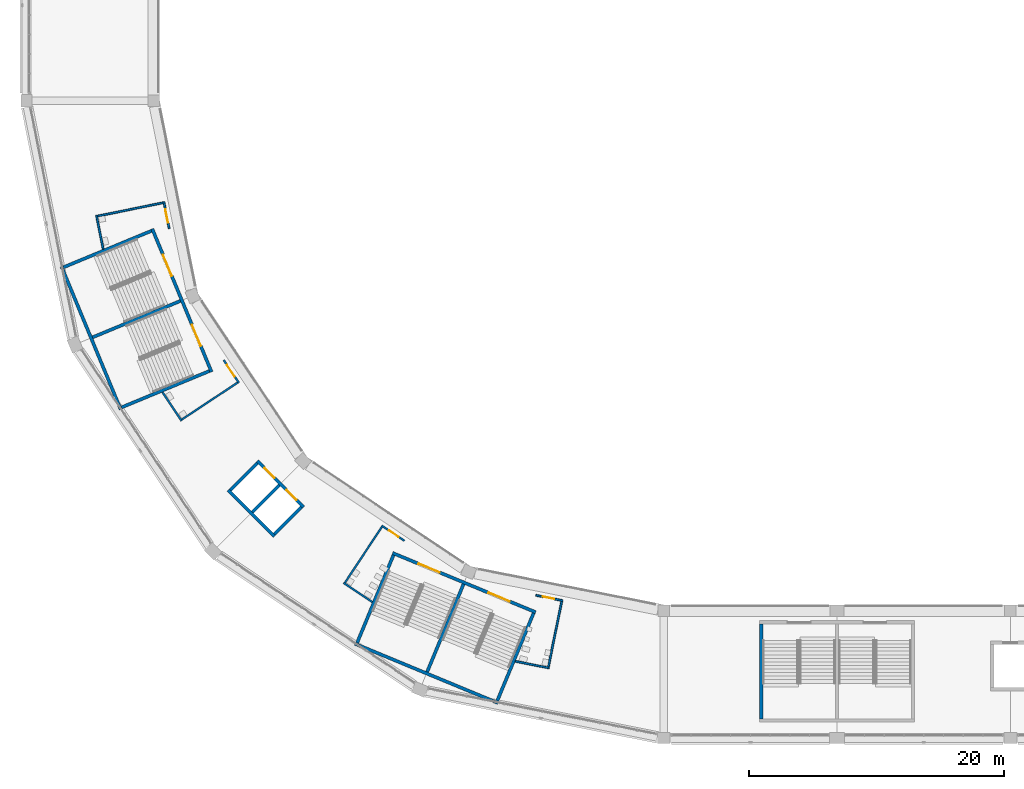
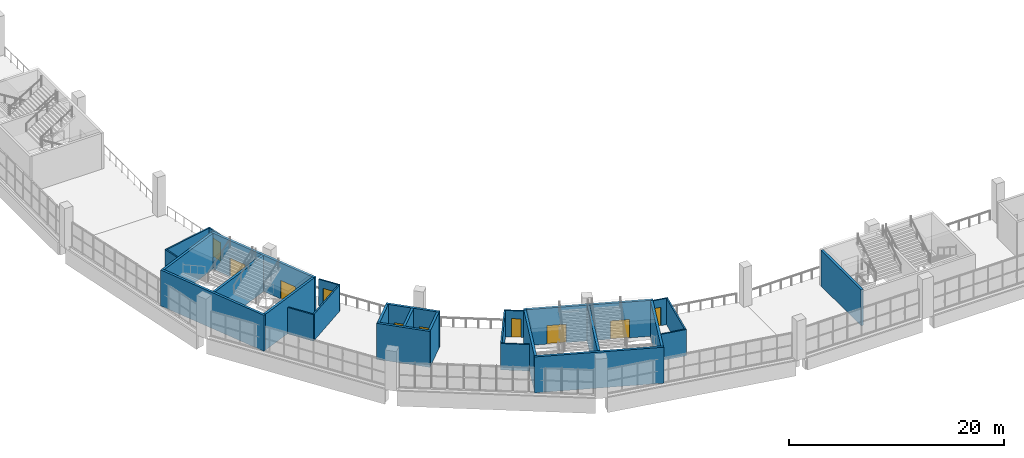
# One storey, part 60 of 177: 28 walls, 10 doors, 10 openings.
"""IFC4 building model written with IfcOpenShell, lengths in metres."""

from ifc_helpers import new_model, si_unit, direction, frame, frame_2d, origin, place, context, subcontext, project, spatial, rectangle, extrude, material, layer, layer_set, type_object, element, fill, save


model = new_model("IFC4")

# Units and contexts
model_context = context("Model", 3, precision=1e-05, world=origin(), true_north=direction((0.0, 1.0)))
body_context = subcontext(model_context, "Body", "Model", "MODEL_VIEW")
ifc_project = project(units=[si_unit("LENGTHUNIT", "METRE"), si_unit("AREAUNIT", "SQUARE_METRE"), si_unit("VOLUMEUNIT", "CUBIC_METRE"), si_unit("PLANEANGLEUNIT", "RADIAN"), si_unit("MASSUNIT", "GRAM", prefix="KILO")], contexts=[model_context])

# Site, building, storey
site_placement = place(None, origin())
site = spatial("IfcSite", under=ifc_project, at=site_placement, CompositionType="ELEMENT")
building_placement = place(site_placement, origin())
building = spatial("IfcBuilding", under=site, at=building_placement, Name="Ogive Plaza Stadium", CompositionType="ELEMENT")
storey_placement = place(building_placement, frame((0.0, 0.0, 18.0)))
storey = spatial("IfcBuildingStorey", under=building, at=storey_placement, Name="L04", CompositionType="ELEMENT", Elevation=18.0)

# Wall
ifc_material_1 = material(Name="Concrete C40/50", Category="concrete")
ifc_layer_1 = layer(ifc_material_1, 0.25)
ifc_layer_set_1 = layer_set([ifc_layer_1], Name="Concrete C40/50")
wall_type_1 = type_object("IfcWallType", Name="Core wall 250", PredefinedType="SHEAR", material=ifc_layer_set_1)
wall_1_placement = place(storey_placement, frame((-26.35009765625, -93.550048828125, 0.0), z_axis=(0.0, 0.0, 1.0), x_axis=(0.0, -1.0, 0.0)))
element("IfcWall", 1, at=wall_1_placement, inside=storey, type_object=wall_type_1, Name="Stair core R16 side wall", PredefinedType="SHEAR", context=body_context, shape_type="SweptSolid", body=[
    extrude(rectangle(XDim=7.4599609375, YDim=0.25, at=frame_2d((3.72998046875, 0.0))), origin(), (0.0, 0.0, 1.0), 4.090087890625),
])

# Wall, openings, doors
wall_2_placement = place(storey_placement, frame((-55.27392578125, -87.98486328125, 0.0), z_axis=(0.0, 0.0, 1.0), x_axis=(0.923877480578, -0.382688386133, 0.0)))
wall_2 = element("IfcWall", 2, at=wall_2_placement, inside=storey, type_object=wall_type_1, Name="Stair core R18 inner wall", PredefinedType="SHEAR", context=body_context, shape_type="SweptSolid", body=[
    extrude(rectangle(XDim=12.14990234375, YDim=0.25, at=frame_2d((6.074951171875, 0.0))), origin(), (0.0, 0.0, 1.0), 4.090087890625),
])
opening_1_placement = place(wall_2_placement, frame((2.199951171875, 0.0, 0.0)))
opening_1 = element("IfcOpeningElement", 3, at=opening_1_placement, cuts=wall_2, Name="Opening D0153", PredefinedType="OPENING", context=body_context, shape_type="SweptSolid", body=[
    extrude(rectangle(XDim=1.800048828125, YDim=2.10009765625, at=frame_2d((0.89990234375, 1.050048828125))), frame((0.0, 0.125, 0.0), z_axis=(0.0, -1.0, 0.0), x_axis=(1.0, 0.0, 0.0)), (0.0, 0.0, 1.0), 0.25),
])
opening_2_placement = place(wall_2_placement, frame((8.14990234375, 0.0, 0.0)))
opening_2 = element("IfcOpeningElement", 4, at=opening_2_placement, cuts=wall_2, Name="Opening D0154", PredefinedType="OPENING", context=body_context, shape_type="SweptSolid", body=[
    extrude(rectangle(XDim=1.800048828125, YDim=2.10009765625, at=frame_2d((0.89990234375, 1.050048828125))), frame((0.0, 0.125, 0.0), z_axis=(0.0, -1.0, 0.0), x_axis=(1.0, 0.0, 0.0)), (0.0, 0.0, 1.0), 0.25),
])
ifc_material_2 = material(Name="Steel ASTM A572 Grade 50", Category="steel")
door_type_1 = type_object("IfcDoorType", Name="Fire door FD90 pair 1800 x 2100", OperationType="DOUBLE_DOOR_SINGLE_SWING", PredefinedType="DOOR", material=ifc_material_2)
door_1_placement = place(opening_1_placement, origin())
door_1 = element("IfcDoor", 5, at=door_1_placement, inside=storey, type_object=door_type_1, Name="Exit stair R18A door L04", OperationType="DOUBLE_DOOR_SINGLE_SWING", OverallHeight=2.10009765625, OverallWidth=1.800048828125, PredefinedType="DOOR", context=body_context, shape_type="SweptSolid", body=[
    extrude(rectangle(XDim=1.800048828125, YDim=2.10009765625, at=frame_2d((0.89990234375, 1.050048828125))), frame((0.0, 0.02490234375, 0.0), z_axis=(0.0, -1.0, 0.0), x_axis=(1.0, 0.0, 0.0)), (0.0, 0.0, 1.0), 0.050048828125),
])
fill(opening_1, door_1)
door_2_placement = place(opening_2_placement, origin())
door_2 = element("IfcDoor", 6, at=door_2_placement, inside=storey, type_object=door_type_1, Name="Exit stair R18B door L04", OperationType="DOUBLE_DOOR_SINGLE_SWING", OverallHeight=2.10009765625, OverallWidth=1.800048828125, PredefinedType="DOOR", context=body_context, shape_type="SweptSolid", body=[
    extrude(rectangle(XDim=1.800048828125, YDim=2.10009765625, at=frame_2d((0.89990234375, 1.050048828125))), frame((0.0, 0.02490234375, 0.0), z_axis=(0.0, -1.0, 0.0), x_axis=(1.0, 0.0, 0.0)), (0.0, 0.0, 1.0), 0.050048828125),
])
fill(opening_2, door_2)

# Walls
wall_3_placement = place(storey_placement, frame((-58.224365234375, -95.108154296875, 0.0), z_axis=(0.0, 0.0, 1.0), x_axis=(0.923884584817, -0.382671234792, 0.0)))
element("IfcWall", 7, at=wall_3_placement, inside=storey, type_object=wall_type_1, Name="Stair core R18 outer wall", PredefinedType="SHEAR", context=body_context, shape_type="SweptSolid", body=[
    extrude(rectangle(XDim=12.14990234375, YDim=0.25, at=frame_2d((6.074951171875, 0.0))), origin(), (0.0, 0.0, 1.0), 4.090087890625),
])
for number, where, z_axis, x_axis, name in (
    (8, (-55.206298828125, -88.148193359375, 0.0), (0.0, 0.0, 1.0), (-0.382664910245, -0.923887204407, 0.0), "Stair core R18 side wall"),
    (9, (-44.212158203125, -92.7021484375, 0.0), (0.0, 0.0, 1.0), (-0.382664910245, -0.923887204407, 0.0), "Stair core R18 side wall"),
):
    element("IfcWall", number, at=place(storey_placement, frame(where, z_axis=z_axis, x_axis=x_axis)), inside=storey, type_object=wall_type_1, Name=name, PredefinedType="SHEAR", context=body_context, shape_type="SweptSolid", body=[
        extrude(rectangle(XDim=7.460205078125, YDim=0.25, at=frame_2d((3.72998046875, 0.0))), origin(), (0.0, 0.0, 1.0), 4.090087890625),
    ])
wall_4_placement = place(storey_placement, frame((-49.709228515625, -90.42529296875, 0.0), z_axis=(0.0, 0.0, 1.0), x_axis=(-0.382676480483, -0.923882412044, 0.0)))
element("IfcWall", 10, at=wall_4_placement, inside=storey, type_object=wall_type_1, Name="Stair core R18 centre wall", PredefinedType="SHEAR", context=body_context, shape_type="SweptSolid", body=[
    extrude(rectangle(XDim=7.4599609375, YDim=0.25, at=frame_2d((3.72998046875, 0.0))), origin(), (0.0, 0.0, 1.0), 4.090087890625),
])

# Wall, openings, doors
wall_5_placement = place(storey_placement, frame((-74.134521484375, -62.548828125, 0.0), z_axis=(0.0, 0.0, 1.0), x_axis=(0.382688386133, -0.923877480578, 0.0)))
wall_5 = element("IfcWall", 11, at=wall_5_placement, inside=storey, type_object=wall_type_1, Name="Stair core R20 inner wall", PredefinedType="SHEAR", context=body_context, shape_type="SweptSolid", body=[
    extrude(rectangle(XDim=12.14990234375, YDim=0.25, at=frame_2d((6.074951171875, 0.0))), origin(), (0.0, 0.0, 1.0), 4.090087890625),
])
opening_3_placement = place(wall_5_placement, frame((2.199951171875, 0.0, 0.0)))
opening_3 = element("IfcOpeningElement", 12, at=opening_3_placement, cuts=wall_5, Name="Opening D0165", PredefinedType="OPENING", context=body_context, shape_type="SweptSolid", body=[
    extrude(rectangle(XDim=1.800048828125, YDim=2.10009765625, at=frame_2d((0.89990234375, 1.050048828125))), frame((0.0, 0.125, 0.0), z_axis=(0.0, -1.0, 0.0), x_axis=(1.0, 0.0, 0.0)), (0.0, 0.0, 1.0), 0.25),
])
opening_4_placement = place(wall_5_placement, frame((8.14990234375, 0.0, 0.0)))
opening_4 = element("IfcOpeningElement", 13, at=opening_4_placement, cuts=wall_5, Name="Opening D0166", PredefinedType="OPENING", context=body_context, shape_type="SweptSolid", body=[
    extrude(rectangle(XDim=1.800048828125, YDim=2.10009765625, at=frame_2d((0.89990234375, 1.050048828125))), frame((0.0, 0.125, 0.0), z_axis=(0.0, -1.0, 0.0), x_axis=(1.0, 0.0, 0.0)), (0.0, 0.0, 1.0), 0.25),
])
door_3_placement = place(opening_3_placement, origin())
door_3 = element("IfcDoor", 14, at=door_3_placement, inside=storey, type_object=door_type_1, Name="Exit stair R20A door L04", OperationType="DOUBLE_DOOR_SINGLE_SWING", OverallHeight=2.10009765625, OverallWidth=1.800048828125, PredefinedType="DOOR", context=body_context, shape_type="SweptSolid", body=[
    extrude(rectangle(XDim=1.800048828125, YDim=2.10009765625, at=frame_2d((0.89990234375, 1.050048828125))), frame((0.0, 0.02490234375, 0.0), z_axis=(0.0, -1.0, 0.0), x_axis=(1.0, 0.0, 0.0)), (0.0, 0.0, 1.0), 0.050048828125),
])
fill(opening_3, door_3)
door_4_placement = place(opening_4_placement, origin())
door_4 = element("IfcDoor", 15, at=door_4_placement, inside=storey, type_object=door_type_1, Name="Exit stair R20B door L04", OperationType="DOUBLE_DOOR_SINGLE_SWING", OverallHeight=2.10009765625, OverallWidth=1.800048828125, PredefinedType="DOOR", context=body_context, shape_type="SweptSolid", body=[
    extrude(rectangle(XDim=1.800048828125, YDim=2.10009765625, at=frame_2d((0.89990234375, 1.050048828125))), frame((0.0, 0.02490234375, 0.0), z_axis=(0.0, -1.0, 0.0), x_axis=(1.0, 0.0, 0.0)), (0.0, 0.0, 1.0), 0.050048828125),
])
fill(opening_4, door_4)

# Walls
wall_6_placement = place(storey_placement, frame((-81.257568359375, -65.499267578125, 0.0), z_axis=(0.0, 0.0, 1.0), x_axis=(0.382671234792, -0.923884584817, 0.0)))
element("IfcWall", 16, at=wall_6_placement, inside=storey, type_object=wall_type_1, Name="Stair core R20 outer wall", PredefinedType="SHEAR", context=body_context, shape_type="SweptSolid", body=[
    extrude(rectangle(XDim=12.14990234375, YDim=0.25, at=frame_2d((6.074951171875, 0.0))), origin(), (0.0, 0.0, 1.0), 4.090087890625),
])
for number, where, z_axis, x_axis, name in (
    (17, (-74.2021484375, -62.712158203125, 0.0), (0.0, 0.0, 1.0), (-0.923887204407, -0.382664910245, 0.0), "Stair core R20 side wall"),
    (18, (-69.648193359375, -73.706298828125, 0.0), (0.0, 0.0, 1.0), (-0.923887204407, -0.382664910245, 0.0), "Stair core R20 side wall"),
):
    element("IfcWall", number, at=place(storey_placement, frame(where, z_axis=z_axis, x_axis=x_axis)), inside=storey, type_object=wall_type_1, Name=name, PredefinedType="SHEAR", context=body_context, shape_type="SweptSolid", body=[
        extrude(rectangle(XDim=7.460205078125, YDim=0.25, at=frame_2d((3.72998046875, 0.0))), origin(), (0.0, 0.0, 1.0), 4.090087890625),
    ])
wall_7_placement = place(storey_placement, frame((-71.92529296875, -68.209228515625, 0.0), z_axis=(0.0, 0.0, 1.0), x_axis=(-0.923882412044, -0.382676480483, 0.0)))
element("IfcWall", 19, at=wall_7_placement, inside=storey, type_object=wall_type_1, Name="Stair core R20 centre wall", PredefinedType="SHEAR", context=body_context, shape_type="SweptSolid", body=[
    extrude(rectangle(XDim=7.4599609375, YDim=0.25, at=frame_2d((3.72998046875, 0.0))), origin(), (0.0, 0.0, 1.0), 4.090087890625),
])

# Wall, openings, doors
wall_8_placement = place(storey_placement, frame((-65.890625, -80.7490234375, 0.0), z_axis=(0.0, 0.0, 1.0), x_axis=(0.707106781187, -0.707106781187, 0.0)))
wall_8 = element("IfcWall", 20, at=wall_8_placement, inside=storey, type_object=wall_type_1, Name="Lift core LP19 landing wall", PredefinedType="SHEAR", context=body_context, shape_type="SweptSolid", body=[
    extrude(rectangle(XDim=5.14990234375, YDim=0.25, at=frame_2d((2.574951171875, 0.0))), origin(), (0.0, 0.0, 1.0), 4.090087890625),
])
opening_5_placement = place(wall_8_placement, frame((0.800048828125, 0.0, 0.0)))
opening_5 = element("IfcOpeningElement", 21, at=opening_5_placement, cuts=wall_8, Name="Opening LD052", PredefinedType="OPENING", context=body_context, shape_type="SweptSolid", body=[
    extrude(rectangle(XDim=1.10009765625, YDim=2.10009765625, at=frame_2d((0.550048828125, 1.050048828125))), frame((0.0, 0.125, 0.0), z_axis=(0.0, -1.0, 0.0), x_axis=(1.0, 0.0, 0.0)), (0.0, 0.0, 1.0), 0.25),
])
opening_6_placement = place(wall_8_placement, frame((3.25, 0.0, 0.0)))
opening_6 = element("IfcOpeningElement", 22, at=opening_6_placement, cuts=wall_8, Name="Opening LD053", PredefinedType="OPENING", context=body_context, shape_type="SweptSolid", body=[
    extrude(rectangle(XDim=1.10009765625, YDim=2.10009765625, at=frame_2d((0.550048828125, 1.050048828125))), frame((0.0, 0.125, 0.0), z_axis=(0.0, -1.0, 0.0), x_axis=(1.0, 0.0, 0.0)), (0.0, 0.0, 1.0), 0.25),
])
ifc_material_3 = material(Name="Steel ASTM A572 Grade 50", Category="steel")
door_type_2 = type_object("IfcDoorType", Name="Landing door 1100 x 2100", OperationType="SLIDING_TO_LEFT", PredefinedType="DOOR", material=ifc_material_3)
door_5_placement = place(opening_5_placement, origin())
door_5 = element("IfcDoor", 23, at=door_5_placement, inside=storey, type_object=door_type_2, Name="Lift landing door LP19 L04", OperationType="SLIDING_TO_LEFT", OverallHeight=2.10009765625, OverallWidth=1.10009765625, PredefinedType="DOOR", context=body_context, shape_type="SweptSolid", body=[
    extrude(rectangle(XDim=1.10009765625, YDim=2.10009765625, at=frame_2d((0.550048828125, 1.050048828125))), frame((0.0, 0.02490234375, 0.0), z_axis=(0.0, -1.0, 0.0), x_axis=(1.0, 0.0, 0.0)), (0.0, 0.0, 1.0), 0.050048828125),
])
fill(opening_5, door_5)
door_6_placement = place(opening_6_placement, origin())
door_6 = element("IfcDoor", 24, at=door_6_placement, inside=storey, type_object=door_type_2, Name="Lift landing door LP19 L04", OperationType="SLIDING_TO_LEFT", OverallHeight=2.10009765625, OverallWidth=1.10009765625, PredefinedType="DOOR", context=body_context, shape_type="SweptSolid", body=[
    extrude(rectangle(XDim=1.10009765625, YDim=2.10009765625, at=frame_2d((0.550048828125, 1.050048828125))), frame((0.0, 0.02490234375, 0.0), z_axis=(0.0, -1.0, 0.0), x_axis=(1.0, 0.0, 0.0)), (0.0, 0.0, 1.0), 0.050048828125),
])
fill(opening_6, door_6)

# Walls
wall_9_placement = place(storey_placement, frame((-68.188720703125, -83.047119140625, 0.0), z_axis=(0.0, 0.0, 1.0), x_axis=(0.707106781187, -0.707106781187, 0.0)))
element("IfcWall", 25, at=wall_9_placement, inside=storey, type_object=wall_type_1, Name="Lift core LP19 rear wall", PredefinedType="SHEAR", context=body_context, shape_type="SweptSolid", body=[
    extrude(rectangle(XDim=5.14990234375, YDim=0.25, at=frame_2d((2.574951171875, 0.0))), origin(), (0.0, 0.0, 1.0), 4.090087890625),
])
for number, where, z_axis, x_axis, name in (
    (26, (-65.890625, -80.92578125, 0.0), (0.0, 0.0, 1.0), (-0.707066087907, -0.707147472125, 0.0), "Lift core LP19 side wall"),
    (27, (-62.42578125, -84.390625, 0.0), (0.0, 0.0, 1.0), (-0.707147472125, -0.707066087907, 0.0), "Lift core LP19 side wall"),
):
    element("IfcWall", number, at=place(storey_placement, frame(where, z_axis=z_axis, x_axis=x_axis)), inside=storey, type_object=wall_type_1, Name=name, PredefinedType="SHEAR", context=body_context, shape_type="SweptSolid", body=[
        extrude(rectangle(XDim=2.999755859375, YDim=0.25, at=frame_2d((1.5, 0.0))), origin(), (0.0, 0.0, 1.0), 4.090087890625),
    ])
wall_10_placement = place(storey_placement, frame((-64.158203125, -82.658203125, 0.0), z_axis=(0.0, 0.0, 1.0), x_axis=(-0.707106781187, -0.707106781187, 0.0)))
element("IfcWall", 28, at=wall_10_placement, inside=storey, type_object=wall_type_1, Name="Lift core LP19 centre wall", PredefinedType="SHEAR", context=body_context, shape_type="SweptSolid", body=[
    extrude(rectangle(XDim=3.0, YDim=0.25, at=frame_2d((1.5, 0.0))), origin(), (0.0, 0.0, 1.0), 4.090087890625),
])

# Wall, opening, door
ifc_material_4 = material(Name="Gypsum board partition", Category="gypsum")
ifc_layer_2 = layer(ifc_material_4, 0.14990234375)
ifc_layer_set_2 = layer_set([ifc_layer_2], Name="Partition 150")
wall_type_2 = type_object("IfcWallType", Name="Partition 150", PredefinedType="PARTITIONING", material=ifc_layer_set_2)
wall_11_placement = place(storey_placement, frame((-44.031494140625, -91.3046875, 0.0), z_axis=(0.0, 0.0, 1.0), x_axis=(0.980798247078, -0.195025122814, 0.0)))
wall_11 = element("IfcWall", 29, at=wall_11_placement, inside=storey, type_object=wall_type_2, Name="Wall L04 B17", PredefinedType="PARTITIONING", context=body_context, shape_type="SweptSolid", body=[
    extrude(rectangle(XDim=2.15185546875, YDim=0.14990234375, at=frame_2d((1.075927734375, 0.0))), origin(), (0.0, 0.0, 1.0), 3.0),
])
opening_7_placement = place(wall_11_placement, frame((0.5556640625, 0.0, 0.0)))
opening_7 = element("IfcOpeningElement", 30, at=opening_7_placement, cuts=wall_11, Name="Opening D0905", PredefinedType="OPENING", context=body_context, shape_type="SweptSolid", body=[
    extrude(rectangle(XDim=0.89990234375, YDim=2.10009765625, at=frame_2d((0.449951171875, 1.050048828125))), frame((0.0, 0.074951171875, 0.0), z_axis=(0.0, -1.0, 0.0), x_axis=(1.0, 0.0, 0.0)), (0.0, 0.0, 1.0), 0.14990234375),
])
ifc_material_5 = material(Name="Steel ASTM A572 Grade 50", Category="steel")
door_type_3 = type_object("IfcDoorType", Name="Door 900 x 2100", OperationType="SINGLE_SWING_LEFT", PredefinedType="DOOR", material=ifc_material_5)
door_7_placement = place(opening_7_placement, origin())
door_7 = element("IfcDoor", 31, at=door_7_placement, inside=storey, type_object=door_type_3, Name="Men's Toilet B17 door", OperationType="SINGLE_SWING_RIGHT", OverallHeight=2.10009765625, OverallWidth=0.89990234375, PredefinedType="DOOR", context=body_context, shape_type="SweptSolid", body=[
    extrude(rectangle(XDim=0.89990234375, YDim=2.10009765625, at=frame_2d((0.449951171875, 1.050048828125))), frame((0.0, 0.02490234375, 0.0), z_axis=(0.0, -1.0, 0.0), x_axis=(1.0, 0.0, 0.0)), (0.0, 0.0, 1.0), 0.050048828125),
])
fill(opening_7, door_7)

# Walls
wall_12_placement = place(storey_placement, frame((-45.643310546875, -96.484130859375, 0.0), z_axis=(0.0, 0.0, 1.0), x_axis=(0.980798640266, -0.195023145429, 0.0)))
element("IfcWall", 32, at=wall_12_placement, inside=storey, type_object=wall_type_2, Name="Wall L04 B17", PredefinedType="PARTITIONING", context=body_context, shape_type="SweptSolid", body=[
    extrude(rectangle(XDim=2.70654296875, YDim=0.14990234375, at=frame_2d((1.353271484375, 0.0))), origin(), (0.0, 0.0, 1.0), 3.0),
])
wall_13_placement = place(storey_placement, frame((-42.004638671875, -91.78271484375, 0.0), z_axis=(0.0, 0.0, 1.0), x_axis=(-0.199649155613, -0.979867447496, 0.0)))
element("IfcWall", 33, at=wall_13_placement, inside=storey, type_object=wall_type_2, Name="Wall L04 B17", PredefinedType="PARTITIONING", context=body_context, shape_type="SweptSolid", body=[
    extrude(rectangle(XDim=5.247314453125, YDim=0.14990234375, at=frame_2d((2.62353515625, 0.0))), origin(), (0.0, 0.0, 1.0), 3.0),
])

# Wall, opening, door
wall_14_placement = place(storey_placement, frame((-54.345703125, -87.0322265625, 0.0), z_axis=(0.0, 0.0, 1.0), x_axis=(-0.831526275944, 0.555485420524, 0.0)))
wall_14 = element("IfcWall", 34, at=wall_14_placement, inside=storey, type_object=wall_type_2, Name="Wall L04 B18", PredefinedType="PARTITIONING", context=body_context, shape_type="SweptSolid", body=[
    extrude(rectangle(XDim=2.15185546875, YDim=0.14990234375, at=frame_2d((1.075927734375, 0.0))), origin(), (0.0, 0.0, 1.0), 3.0),
])
opening_8_placement = place(wall_14_placement, frame((0.5556640625, 0.0, 0.0)))
opening_8 = element("IfcOpeningElement", 35, at=opening_8_placement, cuts=wall_14, Name="Opening D0906", PredefinedType="OPENING", context=body_context, shape_type="SweptSolid", body=[
    extrude(rectangle(XDim=0.89990234375, YDim=2.10009765625, at=frame_2d((0.449951171875, 1.050048828125))), frame((0.0, 0.074951171875, 0.0), z_axis=(0.0, -1.0, 0.0), x_axis=(1.0, 0.0, 0.0)), (0.0, 0.0, 1.0), 0.14990234375),
])
door_8_placement = place(opening_8_placement, origin())
door_8 = element("IfcDoor", 36, at=door_8_placement, inside=storey, type_object=door_type_3, Name="Women's Toilet B18 door", OperationType="SINGLE_SWING_RIGHT", OverallHeight=2.10009765625, OverallWidth=0.89990234375, PredefinedType="DOOR", context=body_context, shape_type="SweptSolid", body=[
    extrude(rectangle(XDim=0.89990234375, YDim=2.10009765625, at=frame_2d((0.449951171875, 1.050048828125))), frame((0.0, 0.02490234375, 0.0), z_axis=(0.0, -1.0, 0.0), x_axis=(1.0, 0.0, 0.0)), (0.0, 0.0, 1.0), 0.050048828125),
])
fill(opening_8, door_8)

# Walls
wall_15_placement = place(storey_placement, frame((-56.868408203125, -91.83447265625, 0.0), z_axis=(0.0, 0.0, 1.0), x_axis=(-0.831480890961, 0.555553352943, 0.0)))
element("IfcWall", 37, at=wall_15_placement, inside=storey, type_object=wall_type_2, Name="Wall L04 B18", PredefinedType="PARTITIONING", context=body_context, shape_type="SweptSolid", body=[
    extrude(rectangle(XDim=2.70654296875, YDim=0.14990234375, at=frame_2d((1.353271484375, 0.0))), origin(), (0.0, 0.0, 1.0), 3.0),
])
wall_16_placement = place(storey_placement, frame((-56.1171875, -85.937255859375, 0.0), z_axis=(0.0, 0.0, 1.0), x_axis=(-0.551679404395, -0.834056253958, 0.0)))
element("IfcWall", 38, at=wall_16_placement, inside=storey, type_object=wall_type_2, Name="Wall L04 B18", PredefinedType="PARTITIONING", context=body_context, shape_type="SweptSolid", body=[
    extrude(rectangle(XDim=5.247314453125, YDim=0.14990234375, at=frame_2d((2.62353515625, 0.0))), origin(), (0.0, 0.0, 1.0), 3.0),
])

# Wall, opening, door
wall_17_placement = place(storey_placement, frame((-68.5322265625, -72.845703125, 0.0), z_axis=(0.0, 0.0, 1.0), x_axis=(0.555485420524, -0.831526275944, 0.0)))
wall_17 = element("IfcWall", 39, at=wall_17_placement, inside=storey, type_object=wall_type_2, Name="Wall L04 B19", PredefinedType="PARTITIONING", context=body_context, shape_type="SweptSolid", body=[
    extrude(rectangle(XDim=2.15185546875, YDim=0.14990234375, at=frame_2d((1.075927734375, 0.0))), origin(), (0.0, 0.0, 1.0), 3.0),
])
opening_9_placement = place(wall_17_placement, frame((0.45556640625, 0.0, 0.0)))
opening_9 = element("IfcOpeningElement", 40, at=opening_9_placement, cuts=wall_17, Name="Opening D0907", PredefinedType="OPENING", context=body_context, shape_type="SweptSolid", body=[
    extrude(rectangle(XDim=1.10009765625, YDim=2.10009765625, at=frame_2d((0.550048828125, 1.050048828125))), frame((0.0, 0.074951171875, 0.0), z_axis=(0.0, -1.0, 0.0), x_axis=(1.0, 0.0, 0.0)), (0.0, 0.0, 1.0), 0.14990234375),
])
ifc_material_6 = material(Name="Steel ASTM A572 Grade 50", Category="steel")
door_type_4 = type_object("IfcDoorType", Name="Accessible door 1100 x 2100", OperationType="SINGLE_SWING_LEFT", PredefinedType="DOOR", material=ifc_material_6)
door_9_placement = place(opening_9_placement, origin())
door_9 = element("IfcDoor", 41, at=door_9_placement, inside=storey, type_object=door_type_4, Name="Accessible WC B19 door", OperationType="SINGLE_SWING_RIGHT", OverallHeight=2.10009765625, OverallWidth=1.10009765625, PredefinedType="DOOR", context=body_context, shape_type="SweptSolid", body=[
    extrude(rectangle(XDim=1.10009765625, YDim=2.10009765625, at=frame_2d((0.550048828125, 1.050048828125))), frame((0.0, 0.02490234375, 0.0), z_axis=(0.0, -1.0, 0.0), x_axis=(1.0, 0.0, 0.0)), (0.0, 0.0, 1.0), 0.050048828125),
])
fill(opening_9, door_9)

# Walls
wall_18_placement = place(storey_placement, frame((-73.33447265625, -75.368408203125, 0.0), z_axis=(0.0, 0.0, 1.0), x_axis=(0.555553352943, -0.831480890961, 0.0)))
element("IfcWall", 42, at=wall_18_placement, inside=storey, type_object=wall_type_2, Name="Wall L04 B19", PredefinedType="PARTITIONING", context=body_context, shape_type="SweptSolid", body=[
    extrude(rectangle(XDim=2.70654296875, YDim=0.14990234375, at=frame_2d((1.353271484375, 0.0))), origin(), (0.0, 0.0, 1.0), 3.0),
])
wall_19_placement = place(storey_placement, frame((-67.437255859375, -74.6171875, 0.0), z_axis=(0.0, 0.0, 1.0), x_axis=(-0.834056253958, -0.551679404395, 0.0)))
element("IfcWall", 43, at=wall_19_placement, inside=storey, type_object=wall_type_2, Name="Wall L04 B19", PredefinedType="PARTITIONING", context=body_context, shape_type="SweptSolid", body=[
    extrude(rectangle(XDim=5.247314453125, YDim=0.14990234375, at=frame_2d((2.62353515625, 0.0))), origin(), (0.0, 0.0, 1.0), 3.0),
])

# Wall, opening, door
wall_20_placement = place(storey_placement, frame((-72.8046875, -62.531494140625, 0.0), z_axis=(0.0, 0.0, 1.0), x_axis=(-0.195025122814, 0.980798247078, 0.0)))
wall_20 = element("IfcWall", 44, at=wall_20_placement, inside=storey, type_object=wall_type_2, Name="Wall L04 B20", PredefinedType="PARTITIONING", context=body_context, shape_type="SweptSolid", body=[
    extrude(rectangle(XDim=2.15185546875, YDim=0.14990234375, at=frame_2d((1.075927734375, 0.0))), origin(), (0.0, 0.0, 1.0), 3.0),
])
opening_10_placement = place(wall_20_placement, frame((0.45556640625, 0.0, 0.0)))
opening_10 = element("IfcOpeningElement", 45, at=opening_10_placement, cuts=wall_20, Name="Opening D0908", PredefinedType="OPENING", context=body_context, shape_type="SweptSolid", body=[
    extrude(rectangle(XDim=1.10009765625, YDim=2.10009765625, at=frame_2d((0.550048828125, 1.050048828125))), frame((0.0, 0.074951171875, 0.0), z_axis=(0.0, -1.0, 0.0), x_axis=(1.0, 0.0, 0.0)), (0.0, 0.0, 1.0), 0.14990234375),
])
door_10_placement = place(opening_10_placement, origin())
door_10 = element("IfcDoor", 46, at=door_10_placement, inside=storey, type_object=door_type_4, Name="Family WC B20 door", OperationType="SINGLE_SWING_RIGHT", OverallHeight=2.10009765625, OverallWidth=1.10009765625, PredefinedType="DOOR", context=body_context, shape_type="SweptSolid", body=[
    extrude(rectangle(XDim=1.10009765625, YDim=2.10009765625, at=frame_2d((0.550048828125, 1.050048828125))), frame((0.0, 0.02490234375, 0.0), z_axis=(0.0, -1.0, 0.0), x_axis=(1.0, 0.0, 0.0)), (0.0, 0.0, 1.0), 0.050048828125),
])
fill(opening_10, door_10)

# Walls
wall_21_placement = place(storey_placement, frame((-77.984130859375, -64.143310546875, 0.0), z_axis=(0.0, 0.0, 1.0), x_axis=(-0.195023145429, 0.980798640266, 0.0)))
element("IfcWall", 47, at=wall_21_placement, inside=storey, type_object=wall_type_2, Name="Wall L04 B20", PredefinedType="PARTITIONING", context=body_context, shape_type="SweptSolid", body=[
    extrude(rectangle(XDim=2.70654296875, YDim=0.14990234375, at=frame_2d((1.353271484375, 0.0))), origin(), (0.0, 0.0, 1.0), 3.0),
])
wall_22_placement = place(storey_placement, frame((-73.28271484375, -60.504638671875, 0.0), z_axis=(0.0, 0.0, 1.0), x_axis=(-0.979867447496, -0.199649155613, 0.0)))
element("IfcWall", 48, at=wall_22_placement, inside=storey, type_object=wall_type_2, Name="Wall L04 B20", PredefinedType="PARTITIONING", context=body_context, shape_type="SweptSolid", body=[
    extrude(rectangle(XDim=5.247314453125, YDim=0.14990234375, at=frame_2d((2.62353515625, 0.0))), origin(), (0.0, 0.0, 1.0), 3.0),
])

save(model, "model.ifc")
